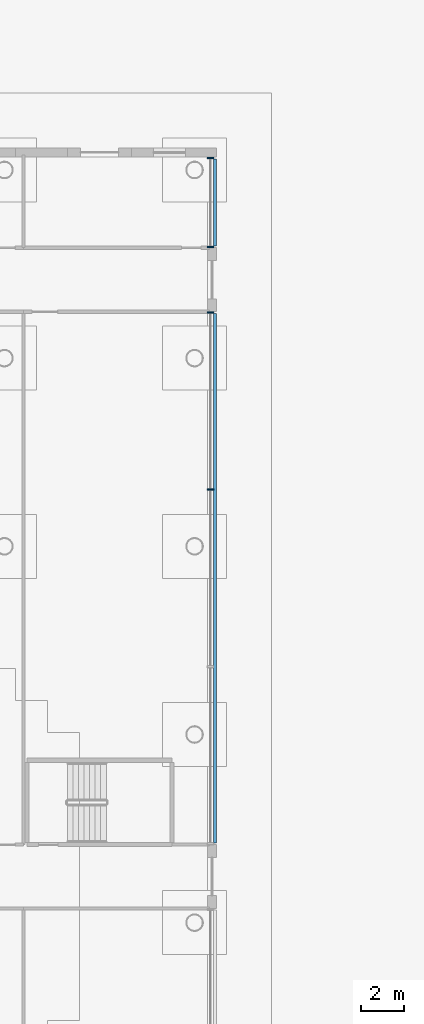
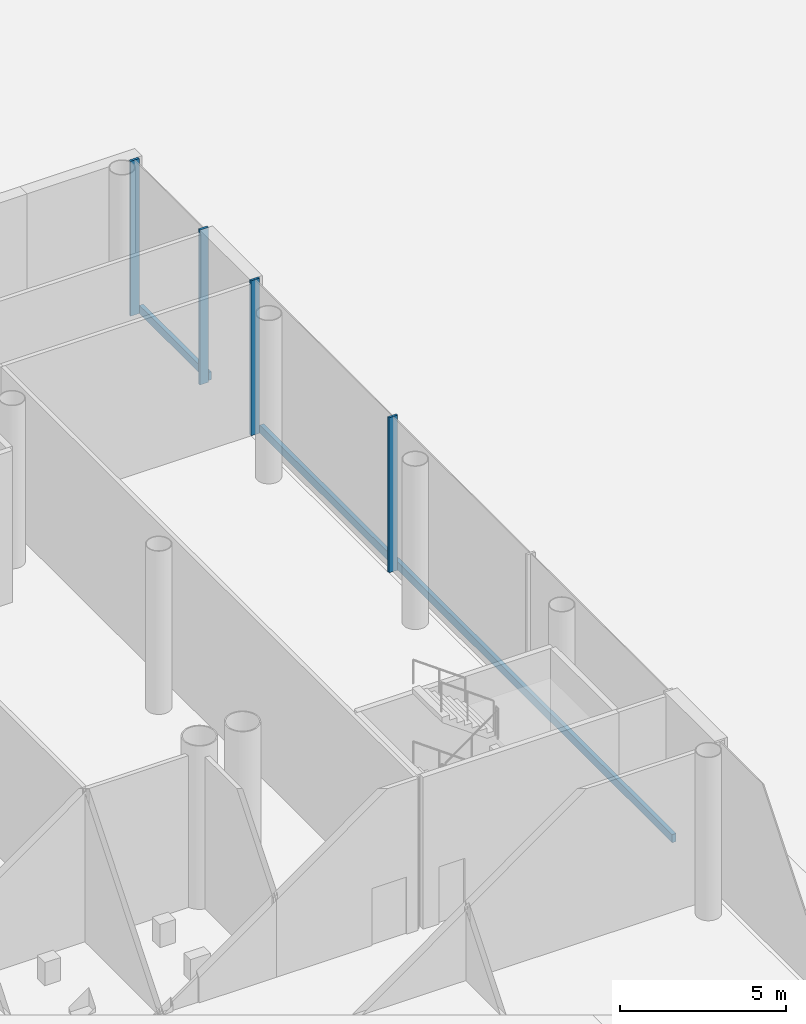
# One storey, part 15 of 75: 6 members, 2 elements without a shape of their own.
"""IFC4 building model written with IfcOpenShell, lengths in metres."""

from ifc_helpers import new_model, si_unit, direction, frame, origin, origin_2d, place, context, subcontext, project, spatial, rectangle, extrude, material, layer, layer_set, material_profile, profile_set, type_object, element, aggregate, save


model = new_model("IFC4")

# Units and contexts
model_context = context("Model", 3, precision=1e-05, world=origin(), true_north=direction((0.0, 1.0)))
body_context = subcontext(model_context, "Body", "Model", "MODEL_VIEW")
ifc_project = project(units=[si_unit("LENGTHUNIT", "METRE"), si_unit("AREAUNIT", "SQUARE_METRE"), si_unit("VOLUMEUNIT", "CUBIC_METRE"), si_unit("PLANEANGLEUNIT", "RADIAN"), si_unit("MASSUNIT", "GRAM", prefix="KILO")], contexts=[model_context])

# Site, building, storey
site_placement = place(None, origin())
site = spatial("IfcSite", under=ifc_project, at=site_placement, CompositionType="ELEMENT")
building_placement = place(site_placement, origin())
building = spatial("IfcBuilding", under=site, at=building_placement, Name="Ipe Terrace Towers", CompositionType="ELEMENT")
storey_placement = place(building_placement, origin())
storey = spatial("IfcBuildingStorey", under=building, at=storey_placement, Name="L00", CompositionType="ELEMENT", Elevation=0.0)

# Curtain wall, members
ifc_material_1 = material(Name="Aluminium alloy 6063-T6", Category="aluminium")
ifc_layer = layer(ifc_material_1, 0.43994140625)
ifc_layer_set = layer_set([ifc_layer], Name="PODIUM GLAZING CURTAIN WALL")
curtain_wall_type = type_object("IfcCurtainWallType", Name="PODIUM GLAZING CURTAIN WALL", PredefinedType="NOTDEFINED", material=ifc_layer_set)
curtain_wall_1_placement = place(storey_placement, origin())
curtain_wall_1 = element("IfcCurtainWall", 1, at=curtain_wall_1_placement, inside=storey, type_object=curtain_wall_type, Name="POD-CW-L00-00e curtain wall", PredefinedType="NOTDEFINED")
ifc_material_2 = material(Name="Aluminium alloy 6063-T6", Category="aluminium")
ifc_material_profile_1 = material_profile(ifc_material_2, rectangle(XDim=0.300048828125, YDim=0.080078125, at=origin_2d()), Name="PODIUM GLAZING MULLION 300 x 80")
ifc_profile_set_1 = profile_set([ifc_material_profile_1], Name="Aluminium alloy 6063-T6")
member_type_1 = type_object("IfcMemberType", Name="PODIUM GLAZING MULLION 300 x 80", PredefinedType="MULLION", material=ifc_profile_set_1)
member_1_placement = place(storey_placement, frame((65.39990234375, 18.1533203125, 0.0), z_axis=(0.0, 0.0, 1.0), x_axis=(1.0, 0.0, 0.0)))
member_1 = element("IfcMember", 2, at=member_1_placement, type_object=member_type_1, Name="POD-CW-L00-00e mullion 3", PredefinedType="MULLION", context=body_context, shape_type="SweptSolid", body=[
    extrude(rectangle(XDim=0.300048828125, YDim=0.080078125, at=origin_2d()), origin(), (0.0, 0.0, 1.0), 5.699951171875),
])
member_2_placement = place(storey_placement, frame((65.39990234375, 26.4599609375, 0.0), z_axis=(0.0, 0.0, 1.0), x_axis=(1.0, 0.0, 0.0)))
member_2 = element("IfcMember", 3, at=member_2_placement, type_object=member_type_1, Name="POD-CW-L00-00e mullion 4", PredefinedType="MULLION", context=body_context, shape_type="SweptSolid", body=[
    extrude(rectangle(XDim=0.300048828125, YDim=0.080078125, at=origin_2d()), origin(), (0.0, 0.0, 1.0), 5.699951171875),
])

curtain_wall_2_placement = place(storey_placement, origin())
curtain_wall_2 = element("IfcCurtainWall", 4, at=curtain_wall_2_placement, inside=storey, type_object=curtain_wall_type, Name="POD-CW-L00-00g curtain wall", PredefinedType="NOTDEFINED")
member_3_placement = place(storey_placement, frame((65.39990234375, 29.5400390625, 0.0), z_axis=(0.0, 0.0, 1.0), x_axis=(1.0, 0.0, 0.0)))
member_3 = element("IfcMember", 5, at=member_3_placement, type_object=member_type_1, Name="POD-CW-L00-00g mullion 1", PredefinedType="MULLION", context=body_context, shape_type="SweptSolid", body=[
    extrude(rectangle(XDim=0.300048828125, YDim=0.080078125, at=origin_2d()), origin(), (0.0, 0.0, 1.0), 5.699951171875),
])
member_4_placement = place(storey_placement, frame((65.39990234375, 33.7099609375, 0.0), z_axis=(0.0, 0.0, 1.0), x_axis=(1.0, 0.0, 0.0)))
member_4 = element("IfcMember", 6, at=member_4_placement, type_object=member_type_1, Name="POD-CW-L00-00g mullion 2", PredefinedType="MULLION", context=body_context, shape_type="SweptSolid", body=[
    extrude(rectangle(XDim=0.300048828125, YDim=0.080078125, at=origin_2d()), origin(), (0.0, 0.0, 1.0), 5.699951171875),
])

# Member
ifc_material_3 = material(Name="Aluminium alloy 6063-T6", Category="aluminium")
ifc_material_profile_2 = material_profile(ifc_material_3, rectangle(XDim=0.139892578125, YDim=0.300048828125, at=origin_2d()), Name="PODIUM GLAZING TRANSOM 140 x 300")
ifc_profile_set_2 = profile_set([ifc_material_profile_2], Name="Aluminium alloy 6063-T6")
member_type_2 = type_object("IfcMemberType", Name="PODIUM GLAZING TRANSOM 140 x 300", PredefinedType="USERDEFINED", material=ifc_profile_set_2)
member_5_placement = place(storey_placement, frame((65.6201171875, 1.580078125, 0.14990234375), z_axis=(0.0, 1.0, 0.0), x_axis=(1.0, 0.0, 0.0)))
member_5 = element("IfcMember", 7, at=member_5_placement, type_object=member_type_2, Name="POD-CW-L00-00e transom", ObjectType="TRANSOM", PredefinedType="USERDEFINED", context=body_context, shape_type="SweptSolid", body=[
    extrude(rectangle(XDim=0.139892578125, YDim=0.300048828125, at=origin_2d()), origin(), (0.0, 0.0, 1.0), 24.83984375),
])

aggregate(curtain_wall_1, [member_1, member_2, member_5])

member_6_placement = place(storey_placement, frame((65.6201171875, 29.580078125, 0.14990234375), z_axis=(0.0, 1.0, 0.0), x_axis=(1.0, 0.0, 0.0)))
member_6 = element("IfcMember", 8, at=member_6_placement, type_object=member_type_2, Name="POD-CW-L00-00g transom", ObjectType="TRANSOM", PredefinedType="USERDEFINED", context=body_context, shape_type="SweptSolid", body=[
    extrude(rectangle(XDim=0.139892578125, YDim=0.300048828125, at=origin_2d()), origin(), (0.0, 0.0, 1.0), 4.08984375),
])

aggregate(curtain_wall_2, [member_3, member_4, member_6])

save(model, "model.ifc")
